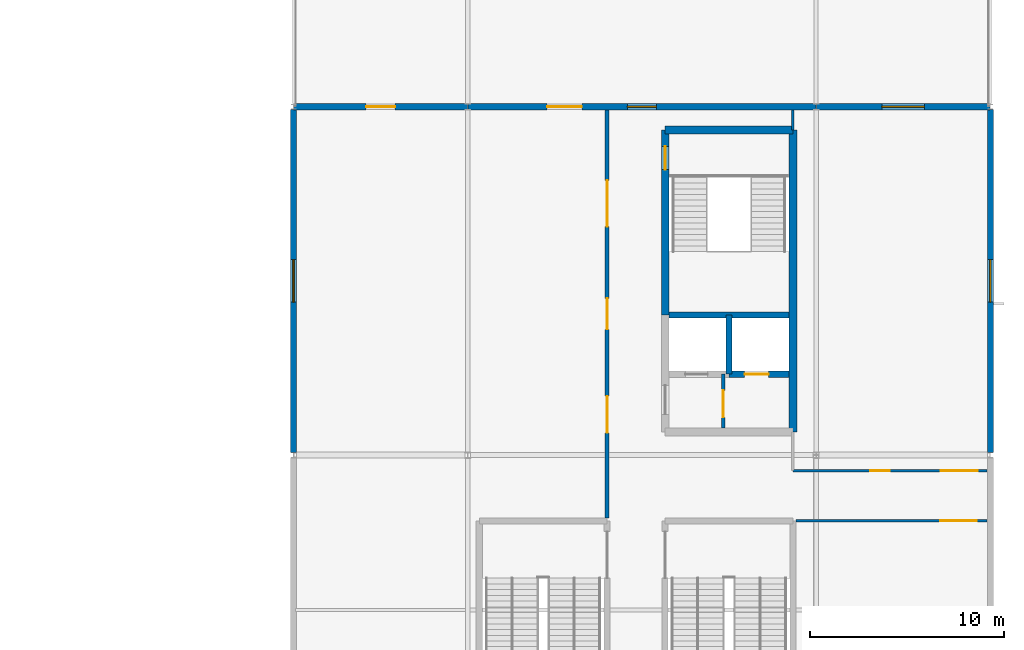
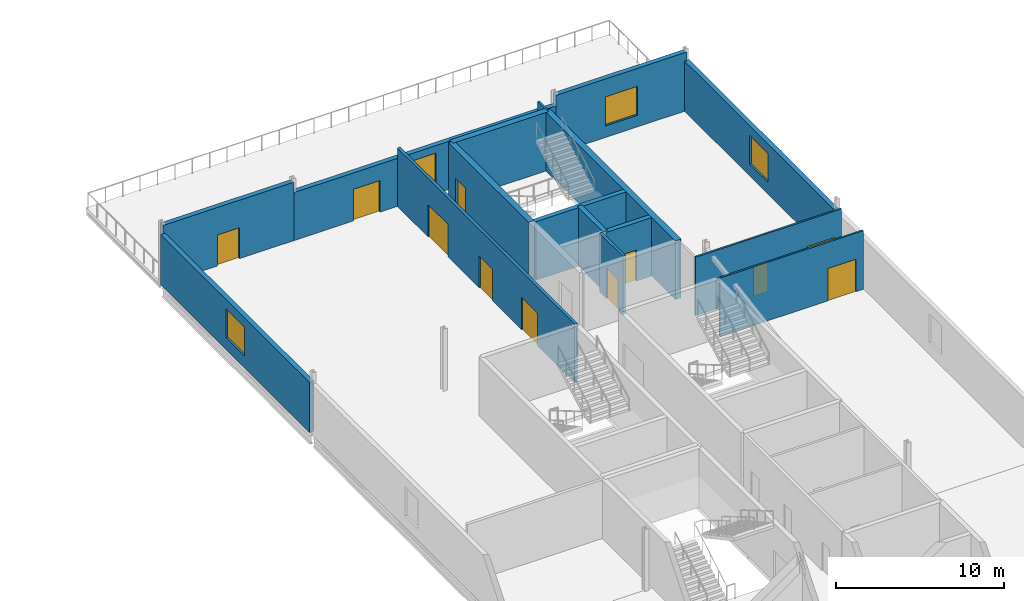
# One storey, part 16 of 28: 16 walls, 11 doors, 4 windows, 15 openings.
"""IFC4 building model written with IfcOpenShell, lengths in metres."""

from ifc_helpers import new_model, si_unit, direction, frame, frame_2d, origin, place, context, subcontext, project, spatial, rectangle, extrude, material, layer, layer_set, type_object, element, fill, save


model = new_model("IFC4")

# Units and contexts
model_context = context("Model", 3, precision=1e-05, world=origin(), true_north=direction((0.0, 1.0)))
body_context = subcontext(model_context, "Body", "Model", "MODEL_VIEW")
ifc_project = project(units=[si_unit("LENGTHUNIT", "METRE"), si_unit("AREAUNIT", "SQUARE_METRE"), si_unit("VOLUMEUNIT", "CUBIC_METRE"), si_unit("PLANEANGLEUNIT", "RADIAN"), si_unit("MASSUNIT", "GRAM", prefix="KILO")], contexts=[model_context])

# Site, building, storey
site_placement = place(None, origin())
site = spatial("IfcSite", under=ifc_project, at=site_placement, CompositionType="ELEMENT")
building_placement = place(site_placement, origin())
building = spatial("IfcBuilding", under=site, at=building_placement, Name="Kisiwana Market Hall", CompositionType="ELEMENT")
storey_placement = place(building_placement, frame((0.0, 0.0, 49.5)))
storey = spatial("IfcBuildingStorey", under=building, at=storey_placement, Name="L11", CompositionType="ELEMENT", Elevation=49.5)

# Wall, opening, door
ifc_material_1 = material(Name="Masonry blockwork", Category="masonry")
ifc_layer_1 = layer(ifc_material_1, 0.199951171875, Name="Plastered fire compartment block wall")
ifc_layer_set_1 = layer_set([ifc_layer_1], Name="WL-COMP-200")
wall_type_1 = type_object("IfcWallType", Name="WL-COMP-200", PredefinedType="PARTITIONING", material=ifc_layer_set_1)
wall_1_placement = place(storey_placement, frame((184.199951171875, 85.39990234375, 0.0), z_axis=(0.0, 0.0, 1.0), x_axis=(0.0, 1.0, 0.0)))
wall_1 = element("IfcWall", 1, at=wall_1_placement, inside=storey, type_object=wall_type_1, Name="Core E1 firefighting lobby wall W-2866", PredefinedType="PARTITIONING", context=body_context, shape_type="SweptSolid", body=[
    extrude(rectangle(XDim=2.780029296875, YDim=0.199951171875, at=frame_2d((1.39013671875, 0.0))), origin(), (0.0, 0.0, 1.0), 4.2548828125),
])
opening_1_placement = place(wall_1_placement, frame((0.550048828125, 0.0, 0.0)))
opening_1 = element("IfcOpeningElement", 2, at=opening_1_placement, cuts=wall_1, Name="Opening DR-L11-012", PredefinedType="OPENING", context=body_context, shape_type="SweptSolid", body=[
    extrude(rectangle(XDim=1.39990234375, YDim=2.25, at=frame_2d((0.699951171875, 1.125))), frame((0.0, 0.11181640625, 0.0), z_axis=(0.0, -1.0, 0.0), x_axis=(1.0, 0.0, 0.0)), (0.0, 0.0, 1.0), 0.223876953125),
])
ifc_material_2 = material(Name="Steel S275", Category="steel")
door_type_1 = type_object("IfcDoorType", Name="DR-FFLOB-FD120-1400", OperationType="DOUBLE_DOOR_SINGLE_SWING", PredefinedType="DOOR", material=ifc_material_2)
door_1_placement = place(opening_1_placement, origin())
door_1 = element("IfcDoor", 3, at=door_1_placement, inside=storey, type_object=door_type_1, Name="Firefighting Lift Lobby E1 Door (L11)", OperationType="DOUBLE_DOOR_SINGLE_SWING", OverallHeight=2.25, OverallWidth=1.39990234375, PredefinedType="DOOR", context=body_context, shape_type="SweptSolid", body=[
    extrude(rectangle(XDim=1.39990234375, YDim=2.25, at=frame_2d((0.699951171875, 1.125))), frame((0.0, 0.02490234375, 0.0), z_axis=(0.0, -1.0, 0.0), x_axis=(1.0, 0.0, 0.0)), (0.0, 0.0, 1.0), 0.050048828125),
])
fill(opening_1, door_1)

# Wall, openings, doors
wall_2_placement = place(storey_placement, frame((178.199951171875, 80.760009765625, 0.0), z_axis=(0.0, 0.0, 1.0), x_axis=(0.0, 1.0, 0.0)))
wall_2 = element("IfcWall", 4, at=wall_2_placement, inside=storey, type_object=wall_type_1, Name="Interior partition W-2898", PredefinedType="PARTITIONING", context=body_context, shape_type="SweptSolid", body=[
    extrude(rectangle(XDim=21.070068359375, YDim=0.199951171875, at=frame_2d((10.53515625, 0.0))), origin(), (0.0, 0.0, 1.0), 4.2548828125),
])
opening_2_placement = place(wall_2_placement, frame((4.389892578125, 0.0, 0.0)))
opening_2 = element("IfcOpeningElement", 5, at=opening_2_placement, cuts=wall_2, Name="Opening DR-L11-049", PredefinedType="OPENING", context=body_context, shape_type="SweptSolid", body=[
    extrude(rectangle(XDim=1.89990234375, YDim=2.35009765625, at=frame_2d((0.949951171875, 1.175048828125))), frame((0.0, 0.11181640625, 0.0), z_axis=(0.0, -1.0, 0.0), x_axis=(1.0, 0.0, 0.0)), (0.0, 0.0, 1.0), 0.223876953125),
])
opening_3_placement = place(wall_2_placement, frame((15.0400390625, 0.0, 0.0)))
opening_3 = element("IfcOpeningElement", 6, at=opening_3_placement, cuts=wall_2, Name="Opening DR-L11-050", PredefinedType="OPENING", context=body_context, shape_type="SweptSolid", body=[
    extrude(rectangle(XDim=2.39990234375, YDim=2.35009765625, at=frame_2d((1.199951171875, 1.175048828125))), frame((0.0, 0.11181640625, 0.0), z_axis=(0.0, -1.0, 0.0), x_axis=(1.0, 0.0, 0.0)), (0.0, 0.0, 1.0), 0.223876953125),
])
opening_4_placement = place(wall_2_placement, frame((9.735107421875, 0.0, 0.0)))
opening_4 = element("IfcOpeningElement", 7, at=opening_4_placement, cuts=wall_2, Name="Opening DR-L11-051", PredefinedType="OPENING", context=body_context, shape_type="SweptSolid", body=[
    extrude(rectangle(XDim=1.60009765625, YDim=2.300048828125, at=frame_2d((0.800048828125, 1.14990234375))), frame((0.0, 0.11181640625, 0.0), z_axis=(0.0, -1.0, 0.0), x_axis=(1.0, 0.0, 0.0)), (0.0, 0.0, 1.0), 0.223876953125),
])
ifc_material_3 = material(Name="Steel S275", Category="steel")
door_type_2 = type_object("IfcDoorType", Name="DR-HALL-1900", OperationType="DOUBLE_DOOR_SINGLE_SWING", PredefinedType="DOOR", material=ifc_material_3)
door_2_placement = place(opening_2_placement, origin())
door_2 = element("IfcDoor", 8, at=door_2_placement, inside=storey, type_object=door_type_2, Name="L11 E Executive Training Room Door", OperationType="DOUBLE_DOOR_SINGLE_SWING", OverallHeight=2.35009765625, OverallWidth=1.89990234375, PredefinedType="DOOR", context=body_context, shape_type="SweptSolid", body=[
    extrude(rectangle(XDim=1.89990234375, YDim=2.35009765625, at=frame_2d((0.949951171875, 1.175048828125))), frame((0.0, 0.02490234375, 0.0), z_axis=(0.0, -1.0, 0.0), x_axis=(1.0, 0.0, 0.0)), (0.0, 0.0, 1.0), 0.050048828125),
])
fill(opening_2, door_2)
ifc_material_4 = material(Name="Steel S275", Category="steel")
door_type_3 = type_object("IfcDoorType", Name="DR-HALL-2400", OperationType="DOUBLE_DOOR_SINGLE_SWING", PredefinedType="DOOR", material=ifc_material_4)
door_3_placement = place(opening_3_placement, origin())
door_3 = element("IfcDoor", 9, at=door_3_placement, inside=storey, type_object=door_type_3, Name="L11 E Executive Training Room Second Door", OperationType="DOUBLE_DOOR_SINGLE_SWING", OverallHeight=2.35009765625, OverallWidth=2.39990234375, PredefinedType="DOOR", context=body_context, shape_type="SweptSolid", body=[
    extrude(rectangle(XDim=2.39990234375, YDim=2.35009765625, at=frame_2d((1.199951171875, 1.175048828125))), frame((0.0, 0.02490234375, 0.0), z_axis=(0.0, -1.0, 0.0), x_axis=(1.0, 0.0, 0.0)), (0.0, 0.0, 1.0), 0.050048828125),
])
fill(opening_3, door_3)
ifc_material_5 = material(Name="Steel S275", Category="steel")
door_type_4 = type_object("IfcDoorType", Name="DR-PLANT-FD120-1600", OperationType="DOUBLE_DOOR_SINGLE_SWING", PredefinedType="DOOR", material=ifc_material_5)
door_4_placement = place(opening_4_placement, origin())
door_4 = element("IfcDoor", 10, at=door_4_placement, inside=storey, type_object=door_type_4, Name="L11 E Mid-Height AHU Plant Room Door", OperationType="DOUBLE_DOOR_SINGLE_SWING", OverallHeight=2.300048828125, OverallWidth=1.60009765625, PredefinedType="DOOR", context=body_context, shape_type="SweptSolid", body=[
    extrude(rectangle(XDim=1.60009765625, YDim=2.300048828125, at=frame_2d((0.800048828125, 1.14990234375))), frame((0.0, 0.02490234375, 0.0), z_axis=(0.0, -1.0, 0.0), x_axis=(1.0, 0.0, 0.0)), (0.0, 0.0, 1.0), 0.050048828125),
])
fill(opening_4, door_4)

# Walls
ifc_material_6 = material(Name="Concrete C40/50", Category="concrete")
ifc_layer_2 = layer(ifc_material_6, 0.320068359375, Name="Reinforced concrete shaft wall")
ifc_layer_set_2 = layer_set([ifc_layer_2], Name="WL-CORE-320")
wall_type_2 = type_object("IfcWallType", Name="WL-CORE-320", PredefinedType="SHEAR", material=ifc_layer_set_2)
wall_3_placement = place(storey_placement, frame((181.39990234375, 91.239990234375, 0.0), z_axis=(0.0, 0.0, 1.0), x_axis=(1.0, 0.0, 0.0)))
element("IfcWall", 11, at=wall_3_placement, inside=storey, type_object=wall_type_2, Name="Core E1 shaft back shear wall W-2783", PredefinedType="SHEAR", context=body_context, shape_type="SweptSolid", body=[
    extrude(rectangle(XDim=6.2001953125, YDim=0.320068359375, at=frame_2d((3.10009765625, 0.0))), origin(), (0.0, 0.0, 1.0), 4.2548828125),
])
wall_4_placement = place(storey_placement, frame((184.5, 88.179931640625, 0.0), z_axis=(0.0, 0.0, 1.0), x_axis=(0.0, 1.0, 0.0)))
element("IfcWall", 12, at=wall_4_placement, inside=storey, type_object=wall_type_2, Name="Core E1 inter-shaft shear wall W-2784", PredefinedType="SHEAR", context=body_context, shape_type="SweptSolid", body=[
    extrude(rectangle(XDim=3.06005859375, YDim=0.320068359375, at=frame_2d((1.530029296875, 0.0))), origin(), (0.0, 0.0, 1.0), 4.2548828125),
])

# Wall, opening, door
wall_5_placement = place(storey_placement, frame((184.5, 88.179931640625, 0.0), z_axis=(0.0, 0.0, 1.0), x_axis=(1.0, 0.0, 0.0)))
wall_5 = element("IfcWall", 13, at=wall_5_placement, inside=storey, type_object=wall_type_2, Name="Core E1 east lift front wall W-2786", PredefinedType="SHEAR", context=body_context, shape_type="SweptSolid", body=[
    extrude(rectangle(XDim=3.10009765625, YDim=0.320068359375, at=frame_2d((1.550048828125, 0.0))), origin(), (0.0, 0.0, 1.0), 4.2548828125),
])
opening_5_placement = place(wall_5_placement, frame((0.800048828125, 0.0, 0.0)))
opening_5 = element("IfcOpeningElement", 14, at=opening_5_placement, cuts=wall_5, Name="Opening LD-L11-008", PredefinedType="OPENING", context=body_context, shape_type="SweptSolid", body=[
    extrude(rectangle(XDim=1.25, YDim=2.25, at=frame_2d((0.625, 1.125))), frame((0.0, 0.171875, 0.0), z_axis=(0.0, -1.0, 0.0), x_axis=(1.0, 0.0, 0.0)), (0.0, 0.0, 1.0), 0.343994140625),
])
ifc_material_7 = material(Name="Steel S275", Category="steel")
door_type_5 = type_object("IfcDoorType", Name="DR-LIFT-FFL-1250", OperationType="DOUBLE_DOOR_SLIDING", PredefinedType="DOOR", material=ifc_material_7)
door_5_placement = place(opening_5_placement, origin())
door_5 = element("IfcDoor", 15, at=door_5_placement, inside=storey, type_object=door_type_5, Name="Lift Landing Door FFL-04 (L11)", OperationType="DOUBLE_DOOR_SLIDING", OverallHeight=2.25, OverallWidth=1.25, PredefinedType="DOOR", context=body_context, shape_type="SweptSolid", body=[
    extrude(rectangle(XDim=1.25, YDim=2.25, at=frame_2d((0.625, 1.125))), frame((0.0, 0.02490234375, 0.0), z_axis=(0.0, -1.0, 0.0), x_axis=(1.0, 0.0, 0.0)), (0.0, 0.0, 1.0), 0.050048828125),
])
fill(opening_5, door_5)

# Walls
ifc_material_8 = material(Name="Concrete C40/50", Category="concrete")
ifc_layer_3 = layer(ifc_material_8, 0.39990234375, Name="Reinforced concrete core wall")
ifc_layer_set_3 = layer_set([ifc_layer_3], Name="WL-CORE-400")
wall_type_3 = type_object("IfcWallType", Name="WL-CORE-400", PredefinedType="SHEAR", material=ifc_layer_set_3)
wall_6_placement = place(storey_placement, frame((181.199951171875, 100.800048828125, 0.0), z_axis=(0.0, 0.0, 1.0), x_axis=(1.0, 0.0, 0.0)))
element("IfcWall", 16, at=wall_6_placement, inside=storey, type_object=wall_type_3, Name="Core E1 north shear wall W-2779", PredefinedType="SHEAR", context=body_context, shape_type="SweptSolid", body=[
    extrude(rectangle(XDim=6.60009765625, YDim=0.39990234375, at=frame_2d((3.300048828125, 0.0))), origin(), (0.0, 0.0, 1.0), 4.2548828125),
])
wall_7_placement = place(storey_placement, frame((187.800048828125, 85.199951171875, 0.0), z_axis=(0.0, 0.0, 1.0), x_axis=(0.0, 1.0, 0.0)))
element("IfcWall", 17, at=wall_7_placement, inside=storey, type_object=wall_type_3, Name="Core E1 outer shear wall W-2780", PredefinedType="SHEAR", context=body_context, shape_type="SweptSolid", body=[
    extrude(rectangle(XDim=15.60009765625, YDim=0.39990234375, at=frame_2d((7.800048828125, 0.0))), origin(), (0.0, 0.0, 1.0), 4.2548828125),
])

# Wall, opening, door
wall_8_placement = place(storey_placement, frame((181.199951171875, 91.239990234375, 0.0), z_axis=(0.0, 0.0, 1.0), x_axis=(0.0, 1.0, 0.0)))
wall_8 = element("IfcWall", 18, at=wall_8_placement, inside=storey, type_object=wall_type_3, Name="Core E1 stair corridor shear wall W-2782", PredefinedType="SHEAR", context=body_context, shape_type="SweptSolid", body=[
    extrude(rectangle(XDim=9.56005859375, YDim=0.39990234375, at=frame_2d((4.780029296875, 0.0))), origin(), (0.0, 0.0, 1.0), 4.2548828125),
])
opening_6_placement = place(wall_8_placement, frame((7.510009765625, 0.0, 0.0)))
opening_6 = element("IfcOpeningElement", 19, at=opening_6_placement, cuts=wall_8, Name="Opening DR-L11-011", PredefinedType="OPENING", context=body_context, shape_type="SweptSolid", body=[
    extrude(rectangle(XDim=1.199951171875, YDim=2.199951171875, at=frame_2d((0.60009765625, 1.10009765625))), frame((0.0, 0.2119140625, 0.0), z_axis=(0.0, -1.0, 0.0), x_axis=(1.0, 0.0, 0.0)), (0.0, 0.0, 1.0), 0.423828125),
])
ifc_material_9 = material(Name="Steel S275", Category="steel")
door_type_6 = type_object("IfcDoorType", Name="DR-STAIR-FD120-1200", OperationType="NOTDEFINED", PredefinedType="DOOR", material=ifc_material_9)
door_6_placement = place(opening_6_placement, frame((1.199951171875, 0.0, 0.0), z_axis=(0.0, 0.0, 1.0), x_axis=(-1.0, 0.0, 0.0)))
door_6 = element("IfcDoor", 20, at=door_6_placement, inside=storey, type_object=door_type_6, Name="Escape Stair E1 Fire Door (L11)", OperationType="SINGLE_SWING_LEFT", OverallHeight=2.199951171875, OverallWidth=1.199951171875, PredefinedType="DOOR", context=body_context, shape_type="SweptSolid", body=[
    extrude(rectangle(XDim=1.199951171875, YDim=2.199951171875, at=frame_2d((0.60009765625, 1.10009765625))), frame((0.0, 0.02490234375, 0.0), z_axis=(0.0, -1.0, 0.0), x_axis=(1.0, 0.0, 0.0)), (0.0, 0.0, 1.0), 0.050048828125),
])
fill(opening_6, door_6)

ifc_material_10 = material(Name="Concrete C40/50 precast", Category="concrete")
ifc_layer_4 = layer(ifc_material_10, 0.31494140625)
ifc_layer_set_4 = layer_set([ifc_layer_4], Name="WL-EXT-315")
wall_type_4 = type_object("IfcWallType", Name="WL-EXT-315", PredefinedType="STANDARD", material=ifc_layer_set_4)
wall_9_placement = place(storey_placement, frame((162.010009765625, 102.0, 0.0), z_axis=(0.0, 0.0, 1.0), x_axis=(1.0, 0.0, 0.0)))
wall_9 = element("IfcWall", 21, at=wall_9_placement, inside=storey, type_object=wall_type_4, Name="Exterior wall W-2844", PredefinedType="STANDARD", context=body_context, shape_type="SweptSolid", body=[
    extrude(rectangle(XDim=8.97998046875, YDim=0.31494140625, at=frame_2d((4.489990234375, 0.0))), origin(), (0.0, 0.0, 1.0), 4.2548828125),
])
opening_7_placement = place(wall_9_placement, frame((3.739990234375, 0.0, 0.0)))
opening_7 = element("IfcOpeningElement", 22, at=opening_7_placement, cuts=wall_9, Name="Opening DR-L11-996", PredefinedType="OPENING", context=body_context, shape_type="SweptSolid", body=[
    extrude(rectangle(XDim=1.5, YDim=2.25, at=frame_2d((0.75, 1.125))), frame((0.0, 0.16943359375, 0.0), z_axis=(0.0, -1.0, 0.0), x_axis=(1.0, 0.0, 0.0)), (0.0, 0.0, 1.0), 0.3388671875),
])
ifc_material_11 = material(Name="Aluminium alloy 6063-T6", Category="aluminium")
door_type_7 = type_object("IfcDoorType", Name="DR-EXT-TERR-1500", OperationType="DOUBLE_DOOR_SINGLE_SWING", PredefinedType="DOOR", material=ifc_material_11)
door_7_placement = place(opening_7_placement, frame((1.5, 0.0, 0.0), z_axis=(0.0, 0.0, 1.0), x_axis=(-1.0, 0.0, 0.0)))
door_7 = element("IfcDoor", 23, at=door_7_placement, inside=storey, type_object=door_type_7, Name="Exterior terrace access door DR-L11-996", OperationType="DOUBLE_DOOR_SINGLE_SWING", OverallHeight=2.25, OverallWidth=1.5, PredefinedType="DOOR", context=body_context, shape_type="SweptSolid", body=[
    extrude(rectangle(XDim=1.5, YDim=2.25, at=frame_2d((0.75, 1.125))), frame((0.0, 0.02490234375, 0.0), z_axis=(0.0, -1.0, 0.0), x_axis=(1.0, 0.0, 0.0)), (0.0, 0.0, 1.0), 0.050048828125),
])
fill(opening_7, door_7)

# Wall, openings, door, window
wall_10_placement = place(storey_placement, frame((171.010009765625, 102.0, 0.0), z_axis=(0.0, 0.0, 1.0), x_axis=(1.0, 0.0, 0.0)))
wall_10 = element("IfcWall", 24, at=wall_10_placement, inside=storey, type_object=wall_type_4, Name="Exterior wall W-2845", PredefinedType="STANDARD", context=body_context, shape_type="SweptSolid", body=[
    extrude(rectangle(XDim=17.97998046875, YDim=0.31494140625, at=frame_2d((8.989990234375, 0.0))), origin(), (0.0, 0.0, 1.0), 3.492919921875),
])
opening_8_placement = place(wall_10_placement, frame((8.239990234375, 0.0, 0.85009765625)))
opening_8 = element("IfcOpeningElement", 25, at=opening_8_placement, cuts=wall_10, Name="Opening WN-04", PredefinedType="OPENING", context=body_context, shape_type="SweptSolid", body=[
    extrude(rectangle(XDim=1.5, YDim=2.10009765625, at=frame_2d((0.75, 1.050048828125))), frame((0.0, 0.16943359375, 0.0), z_axis=(0.0, -1.0, 0.0), x_axis=(1.0, 0.0, 0.0)), (0.0, 0.0, 1.0), 0.3388671875),
])
opening_9_placement = place(wall_10_placement, frame((4.090087890625, 0.0, 0.0)))
opening_9 = element("IfcOpeningElement", 26, at=opening_9_placement, cuts=wall_10, Name="Opening DR-L11-1000", PredefinedType="OPENING", context=body_context, shape_type="SweptSolid", body=[
    extrude(rectangle(XDim=1.800048828125, YDim=2.300048828125, at=frame_2d((0.89990234375, 1.14990234375))), frame((0.0, 0.16943359375, 0.0), z_axis=(0.0, -1.0, 0.0), x_axis=(1.0, 0.0, 0.0)), (0.0, 0.0, 1.0), 0.3388671875),
])
ifc_material_12 = material(Name="Aluminium alloy 6063-T6", Category="aluminium")
door_type_8 = type_object("IfcDoorType", Name="DR-EXT-TERR-1800", OperationType="DOUBLE_DOOR_SINGLE_SWING", PredefinedType="DOOR", material=ifc_material_12)
door_8_placement = place(opening_9_placement, frame((1.800048828125, 0.0, 0.0), z_axis=(0.0, 0.0, 1.0), x_axis=(-1.0, 0.0, 0.0)))
door_8 = element("IfcDoor", 27, at=door_8_placement, inside=storey, type_object=door_type_8, Name="Exterior terrace access door DR-L11-1000", OperationType="DOUBLE_DOOR_SINGLE_SWING", OverallHeight=2.300048828125, OverallWidth=1.800048828125, PredefinedType="DOOR", context=body_context, shape_type="SweptSolid", body=[
    extrude(rectangle(XDim=1.800048828125, YDim=2.300048828125, at=frame_2d((0.89990234375, 1.14990234375))), frame((0.0, 0.02490234375, 0.0), z_axis=(0.0, -1.0, 0.0), x_axis=(1.0, 0.0, 0.0)), (0.0, 0.0, 1.0), 0.050048828125),
])
fill(opening_9, door_8)
ifc_material_13 = material(Name="Double-glazed solar-control low-E IGU", Category="glass")
window_type_1 = type_object("IfcWindowType", Name="WN-DRUM-1500x2100", PartitioningType="SINGLE_PANEL", PredefinedType="WINDOW", material=ifc_material_13)
window_1_placement = place(opening_8_placement, origin())
window_1 = element("IfcWindow", 28, at=window_1_placement, inside=storey, type_object=window_type_1, Name="Exterior window WN-336", OverallHeight=2.10009765625, OverallWidth=1.5, PartitioningType="SINGLE_PANEL", PredefinedType="WINDOW", context=body_context, shape_type="SweptSolid", body=[
    extrude(rectangle(XDim=1.5, YDim=2.10009765625, at=frame_2d((0.75, 1.050048828125))), frame((0.0, 0.030029296875, 0.0), z_axis=(0.0, -1.0, 0.0), x_axis=(1.0, 0.0, 0.0)), (0.0, 0.0, 1.0), 0.06005859375),
])
fill(opening_8, window_1)

# Wall, opening, window
wall_11_placement = place(storey_placement, frame((189.010009765625, 102.0, 0.0), z_axis=(0.0, 0.0, 1.0), x_axis=(1.0, 0.0, 0.0)))
wall_11 = element("IfcWall", 29, at=wall_11_placement, inside=storey, type_object=wall_type_4, Name="Exterior wall W-2846", PredefinedType="STANDARD", context=body_context, shape_type="SweptSolid", body=[
    extrude(rectangle(XDim=8.97998046875, YDim=0.31494140625, at=frame_2d((4.489990234375, 0.0))), origin(), (0.0, 0.0, 1.0), 4.2548828125),
])
opening_10_placement = place(wall_11_placement, frame((3.389892578125, 0.0, 0.85009765625)))
opening_10 = element("IfcOpeningElement", 30, at=opening_10_placement, cuts=wall_11, Name="Opening WN-28", PredefinedType="OPENING", context=body_context, shape_type="SweptSolid", body=[
    extrude(rectangle(XDim=2.199951171875, YDim=2.10009765625, at=frame_2d((1.10009765625, 1.050048828125))), frame((0.0, 0.16943359375, 0.0), z_axis=(0.0, -1.0, 0.0), x_axis=(1.0, 0.0, 0.0)), (0.0, 0.0, 1.0), 0.3388671875),
])
ifc_material_14 = material(Name="Double-glazed solar-control low-E IGU", Category="glass")
window_type_2 = type_object("IfcWindowType", Name="WN-SKYG-2200x2100", PartitioningType="SINGLE_PANEL", PredefinedType="WINDOW", material=ifc_material_14)
window_2_placement = place(opening_10_placement, origin())
window_2 = element("IfcWindow", 31, at=window_2_placement, inside=storey, type_object=window_type_2, Name="Exterior window WN-348", OverallHeight=2.10009765625, OverallWidth=2.199951171875, PartitioningType="SINGLE_PANEL", PredefinedType="WINDOW", context=body_context, shape_type="SweptSolid", body=[
    extrude(rectangle(XDim=2.199951171875, YDim=2.10009765625, at=frame_2d((1.10009765625, 1.050048828125))), frame((0.0, 0.030029296875, 0.0), z_axis=(0.0, -1.0, 0.0), x_axis=(1.0, 0.0, 0.0)), (0.0, 0.0, 1.0), 0.06005859375),
])
fill(opening_10, window_2)

wall_12_placement = place(storey_placement, frame((162.0, 84.133056640625, 0.0), z_axis=(0.0, 0.0, 1.0), x_axis=(0.0, 1.0, 0.0)))
wall_12 = element("IfcWall", 32, at=wall_12_placement, inside=storey, type_object=wall_type_4, Name="Exterior wall W-2858", PredefinedType="STANDARD", context=body_context, shape_type="SweptSolid", body=[
    extrude(rectangle(XDim=17.73388671875, YDim=0.31494140625, at=frame_2d((8.866943359375, 0.0))), origin(), (0.0, 0.0, 1.0), 3.642822265625),
])
opening_11_placement = place(wall_12_placement, frame((7.766845703125, 0.0, 0.85009765625)))
opening_11 = element("IfcOpeningElement", 33, at=opening_11_placement, cuts=wall_12, Name="Opening WN-28", PredefinedType="OPENING", context=body_context, shape_type="SweptSolid", body=[
    extrude(rectangle(XDim=2.199951171875, YDim=2.10009765625, at=frame_2d((1.10009765625, 1.050048828125))), frame((0.0, 0.16943359375, 0.0), z_axis=(0.0, -1.0, 0.0), x_axis=(1.0, 0.0, 0.0)), (0.0, 0.0, 1.0), 0.3388671875),
])
window_3_placement = place(opening_11_placement, origin())
window_3 = element("IfcWindow", 34, at=window_3_placement, inside=storey, type_object=window_type_2, Name="Exterior window WN-352", OverallHeight=2.10009765625, OverallWidth=2.199951171875, PartitioningType="SINGLE_PANEL", PredefinedType="WINDOW", context=body_context, shape_type="SweptSolid", body=[
    extrude(rectangle(XDim=2.199951171875, YDim=2.10009765625, at=frame_2d((1.10009765625, 1.050048828125))), frame((0.0, 0.030029296875, 0.0), z_axis=(0.0, -1.0, 0.0), x_axis=(1.0, 0.0, 0.0)), (0.0, 0.0, 1.0), 0.06005859375),
])
fill(opening_11, window_3)

wall_13_placement = place(storey_placement, frame((198.0, 84.133056640625, 0.0), z_axis=(0.0, 0.0, 1.0), x_axis=(0.0, 1.0, 0.0)))
wall_13 = element("IfcWall", 35, at=wall_13_placement, inside=storey, type_object=wall_type_4, Name="Exterior wall W-2862", PredefinedType="STANDARD", context=body_context, shape_type="SweptSolid", body=[
    extrude(rectangle(XDim=17.73388671875, YDim=0.31494140625, at=frame_2d((8.866943359375, 0.0))), origin(), (0.0, 0.0, 1.0), 3.642822265625),
])
opening_12_placement = place(wall_13_placement, frame((7.766845703125, 0.0, 0.85009765625)))
opening_12 = element("IfcOpeningElement", 36, at=opening_12_placement, cuts=wall_13, Name="Opening WN-28", PredefinedType="OPENING", context=body_context, shape_type="SweptSolid", body=[
    extrude(rectangle(XDim=2.199951171875, YDim=2.10009765625, at=frame_2d((1.10009765625, 1.050048828125))), frame((0.0, 0.16943359375, 0.0), z_axis=(0.0, -1.0, 0.0), x_axis=(1.0, 0.0, 0.0)), (0.0, 0.0, 1.0), 0.3388671875),
])
window_4_placement = place(opening_12_placement, origin())
window_4 = element("IfcWindow", 37, at=window_4_placement, inside=storey, type_object=window_type_2, Name="Exterior window WN-353", OverallHeight=2.10009765625, OverallWidth=2.199951171875, PartitioningType="SINGLE_PANEL", PredefinedType="WINDOW", context=body_context, shape_type="SweptSolid", body=[
    extrude(rectangle(XDim=2.199951171875, YDim=2.10009765625, at=frame_2d((1.10009765625, 1.050048828125))), frame((0.0, 0.030029296875, 0.0), z_axis=(0.0, -1.0, 0.0), x_axis=(1.0, 0.0, 0.0)), (0.0, 0.0, 1.0), 0.06005859375),
])
fill(opening_12, window_4)

# Wall
ifc_material_15 = material(Name="Gypsum plasterboard")
ifc_layer_5 = layer(ifc_material_15, 0.125, Name="Double gypsum board + acoustic stud")
ifc_layer_set_5 = layer_set([ifc_layer_5], Name="WL-OFF-125")
wall_type_5 = type_object("IfcWallType", Name="WL-OFF-125", PredefinedType="PARTITIONING", material=ifc_layer_set_5)
wall_14_placement = place(storey_placement, frame((187.800048828125, 100.800048828125, 0.0), z_axis=(0.0, 0.0, 1.0), x_axis=(0.0, 1.0, 0.0)))
element("IfcWall", 38, at=wall_14_placement, inside=storey, type_object=wall_type_5, Name="Interior partition W-2890", PredefinedType="PARTITIONING", context=body_context, shape_type="SweptSolid", body=[
    extrude(rectangle(XDim=1.030029296875, YDim=0.125, at=frame_2d((0.51513671875, 0.0))), origin(), (0.0, 0.0, 1.0), 4.2548828125),
])

# Wall, opening, door
wall_15_placement = place(storey_placement, frame((187.9599609375, 80.60009765625, 0.0), z_axis=(0.0, 0.0, 1.0), x_axis=(1.0, 0.0, 0.0)))
wall_15 = element("IfcWall", 39, at=wall_15_placement, inside=storey, type_object=wall_type_5, Name="Interior partition W-2893", PredefinedType="PARTITIONING", context=body_context, shape_type="SweptSolid", body=[
    extrude(rectangle(XDim=9.8701171875, YDim=0.125, at=frame_2d((4.93505859375, 0.0))), origin(), (0.0, 0.0, 1.0), 4.2548828125),
])
opening_13_placement = place(wall_15_placement, frame((7.449951171875, 0.0, 0.0)))
opening_13 = element("IfcOpeningElement", 40, at=opening_13_placement, cuts=wall_15, Name="Opening DR-L11-043", PredefinedType="OPENING", context=body_context, shape_type="SweptSolid", body=[
    extrude(rectangle(XDim=1.89990234375, YDim=2.35009765625, at=frame_2d((0.949951171875, 1.175048828125))), frame((0.0, 0.074462890625, 0.0), z_axis=(0.0, -1.0, 0.0), x_axis=(1.0, 0.0, 0.0)), (0.0, 0.0, 1.0), 0.14892578125),
])
door_9_placement = place(opening_13_placement, frame((1.89990234375, 0.0, 0.0), z_axis=(0.0, 0.0, 1.0), x_axis=(-1.0, 0.0, 0.0)))
door_9 = element("IfcDoor", 41, at=door_9_placement, inside=storey, type_object=door_type_2, Name="L11 E Civic Seminar Suite Central Exit Door", OperationType="DOUBLE_DOOR_SINGLE_SWING", OverallHeight=2.35009765625, OverallWidth=1.89990234375, PredefinedType="DOOR", context=body_context, shape_type="SweptSolid", body=[
    extrude(rectangle(XDim=1.89990234375, YDim=2.35009765625, at=frame_2d((0.949951171875, 1.175048828125))), frame((0.0, 0.02490234375, 0.0), z_axis=(0.0, -1.0, 0.0), x_axis=(1.0, 0.0, 0.0)), (0.0, 0.0, 1.0), 0.050048828125),
])
fill(opening_13, door_9)

# Wall, openings, doors
wall_16_placement = place(storey_placement, frame((187.800048828125, 83.199951171875, 0.0), z_axis=(0.0, 0.0, 1.0), x_axis=(1.0, 0.0, 0.0)))
wall_16 = element("IfcWall", 42, at=wall_16_placement, inside=storey, type_object=wall_type_5, Name="Interior partition W-2894", PredefinedType="PARTITIONING", context=body_context, shape_type="SweptSolid", body=[
    extrude(rectangle(XDim=10.030029296875, YDim=0.125, at=frame_2d((5.01513671875, 0.0))), origin(), (0.0, 0.0, 1.0), 4.2548828125),
])
opening_14_placement = place(wall_16_placement, frame((4.0, 0.0, 0.0)))
opening_14 = element("IfcOpeningElement", 43, at=opening_14_placement, cuts=wall_16, Name="Opening DR-L11-044", PredefinedType="OPENING", context=body_context, shape_type="SweptSolid", body=[
    extrude(rectangle(XDim=1.0, YDim=2.14990234375, at=frame_2d((0.5, 1.074951171875))), frame((0.0, 0.074462890625, 0.0), z_axis=(0.0, -1.0, 0.0), x_axis=(1.0, 0.0, 0.0)), (0.0, 0.0, 1.0), 0.14892578125),
])
opening_15_placement = place(wall_16_placement, frame((7.64990234375, 0.0, 0.0)))
opening_15 = element("IfcOpeningElement", 44, at=opening_15_placement, cuts=wall_16, Name="Opening DR-L11-045", PredefinedType="OPENING", context=body_context, shape_type="SweptSolid", body=[
    extrude(rectangle(XDim=1.89990234375, YDim=2.35009765625, at=frame_2d((0.949951171875, 1.175048828125))), frame((0.0, 0.074462890625, 0.0), z_axis=(0.0, -1.0, 0.0), x_axis=(1.0, 0.0, 0.0)), (0.0, 0.0, 1.0), 0.14892578125),
])
door_10_placement = place(opening_15_placement, origin())
door_10 = element("IfcDoor", 45, at=door_10_placement, inside=storey, type_object=door_type_2, Name="L11 E Civic Seminar Suite North Exit Door", OperationType="DOUBLE_DOOR_SINGLE_SWING", OverallHeight=2.35009765625, OverallWidth=1.89990234375, PredefinedType="DOOR", context=body_context, shape_type="SweptSolid", body=[
    extrude(rectangle(XDim=1.89990234375, YDim=2.35009765625, at=frame_2d((0.949951171875, 1.175048828125))), frame((0.0, 0.02490234375, 0.0), z_axis=(0.0, -1.0, 0.0), x_axis=(1.0, 0.0, 0.0)), (0.0, 0.0, 1.0), 0.050048828125),
])
fill(opening_15, door_10)
ifc_material_16 = material(Name="Aluminium alloy 6063-T6", Category="aluminium")
door_type_9 = type_object("IfcDoorType", Name="DR-OFF-1000", OperationType="NOTDEFINED", PredefinedType="DOOR", material=ifc_material_16)
door_11_placement = place(opening_14_placement, origin())
door_11 = element("IfcDoor", 46, at=door_11_placement, inside=storey, type_object=door_type_9, Name="L11 E Civic Seminar Suite North Door", OperationType="SINGLE_SWING_LEFT", OverallHeight=2.14990234375, OverallWidth=1.0, PredefinedType="DOOR", context=body_context, shape_type="SweptSolid", body=[
    extrude(rectangle(XDim=1.0, YDim=2.14990234375, at=frame_2d((0.5, 1.074951171875))), frame((0.0, 0.02490234375, 0.0), z_axis=(0.0, -1.0, 0.0), x_axis=(1.0, 0.0, 0.0)), (0.0, 0.0, 1.0), 0.050048828125),
])
fill(opening_14, door_11)

save(model, "model.ifc")
